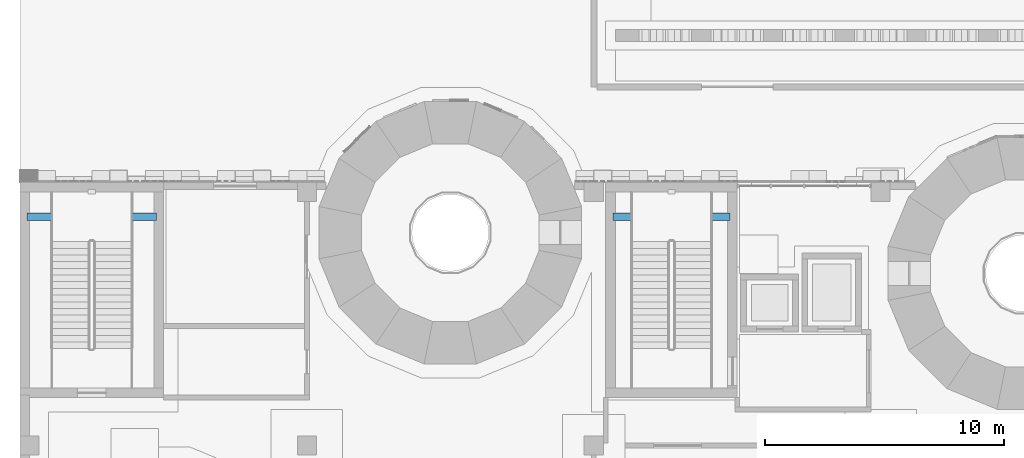
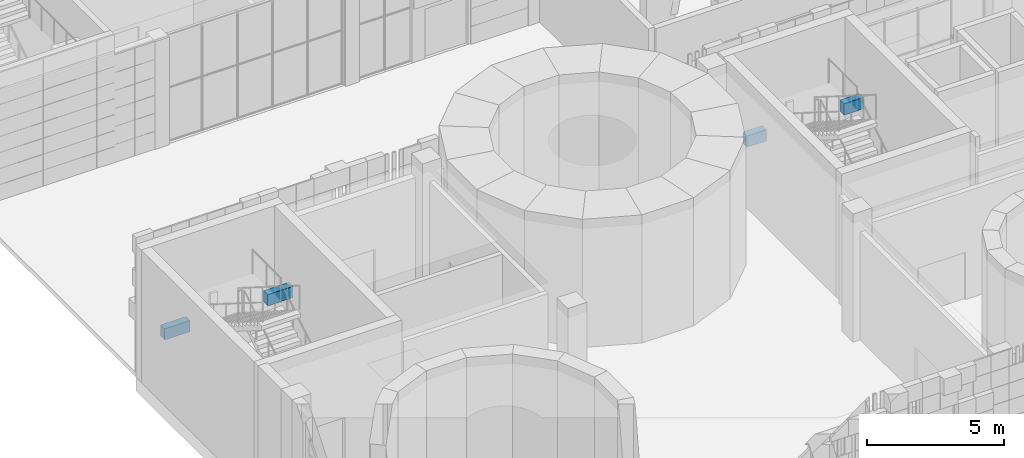
# One storey, part 4 of 125: 4 beams.
"""IFC4 building model written with IfcOpenShell, lengths in metres."""

from ifc_helpers import new_model, si_unit, direction, frame, origin, origin_2d, place, context, subcontext, project, spatial, rectangle, extrude, material, material_profile, profile_set, type_object, element, save


model = new_model("IFC4")

# Units and contexts
model_context = context("Model", 3, precision=1e-05, world=origin(), true_north=direction((0.0, 1.0)))
body_context = subcontext(model_context, "Body", "Model", "MODEL_VIEW")
ifc_project = project(units=[si_unit("LENGTHUNIT", "METRE"), si_unit("AREAUNIT", "SQUARE_METRE"), si_unit("VOLUMEUNIT", "CUBIC_METRE"), si_unit("PLANEANGLEUNIT", "RADIAN"), si_unit("MASSUNIT", "GRAM", prefix="KILO")], contexts=[model_context])

# Site, building, storey
site_placement = place(None, origin())
site = spatial("IfcSite", under=ifc_project, at=site_placement, CompositionType="ELEMENT")
building_placement = place(site_placement, origin())
building = spatial("IfcBuilding", under=site, at=building_placement, Name="Sun Court Science Centre", CompositionType="ELEMENT")
storey_placement = place(building_placement, origin())
storey = spatial("IfcBuildingStorey", under=building, at=storey_placement, Name="L00", CompositionType="ELEMENT", Elevation=0.0)

# Beams
ifc_material = material(Name="Concrete C25/30", Category="concrete")
ifc_material_profile = material_profile(ifc_material, rectangle(XDim=0.300048828125, YDim=0.5, at=origin_2d()), Name="RC 300x500")
ifc_profile_set = profile_set([ifc_material_profile], Name="Concrete C25/30")
beam_type = type_object("IfcBeamType", Name="RC landing trimmer 300x500", PredefinedType="BEAM", material=ifc_profile_set)
for number, where, z_axis, x_axis, name in (
    (1, (5.699951171875, 26.56396484375, 2.550048828125), (-1.0, 0.0, 0.0), (0.0, -1.0, 0.0), "SB1 landing 1 trimmer beam 1"),
    (2, (0.300048828125, 26.56396484375, 2.550048828125), (1.0, 0.0, 0.0), (0.0, 1.0, 0.0), "SB1 landing 1 trimmer beam 2"),
):
    element("IfcBeam", number, at=place(storey_placement, frame(where, z_axis=z_axis, x_axis=x_axis)), inside=storey, type_object=beam_type, Name=name, PredefinedType="BEAM", context=body_context, shape_type="SweptSolid", body=[
        extrude(rectangle(XDim=0.300048828125, YDim=0.5, at=origin_2d()), origin(), (0.0, 0.0, 1.0), 1.06689453125),
    ])
for number, where, z_axis, x_axis, name in (
    (3, (29.699951171875, 26.56396484375, 2.550048828125), (-1.0, 0.0, 0.0), (0.0, -1.0, 0.0), "SB2 landing 1 trimmer beam 1"),
    (4, (24.800048828125, 26.56396484375, 2.550048828125), (1.0, 0.0, 0.0), (0.0, 1.0, 0.0), "SB2 landing 1 trimmer beam 2"),
):
    element("IfcBeam", number, at=place(storey_placement, frame(where, z_axis=z_axis, x_axis=x_axis)), inside=storey, type_object=beam_type, Name=name, PredefinedType="BEAM", context=body_context, shape_type="SweptSolid", body=[
        extrude(rectangle(XDim=0.300048828125, YDim=0.5, at=origin_2d()), origin(), (0.0, 0.0, 1.0), 0.81689453125),
    ])

save(model, "model.ifc")
